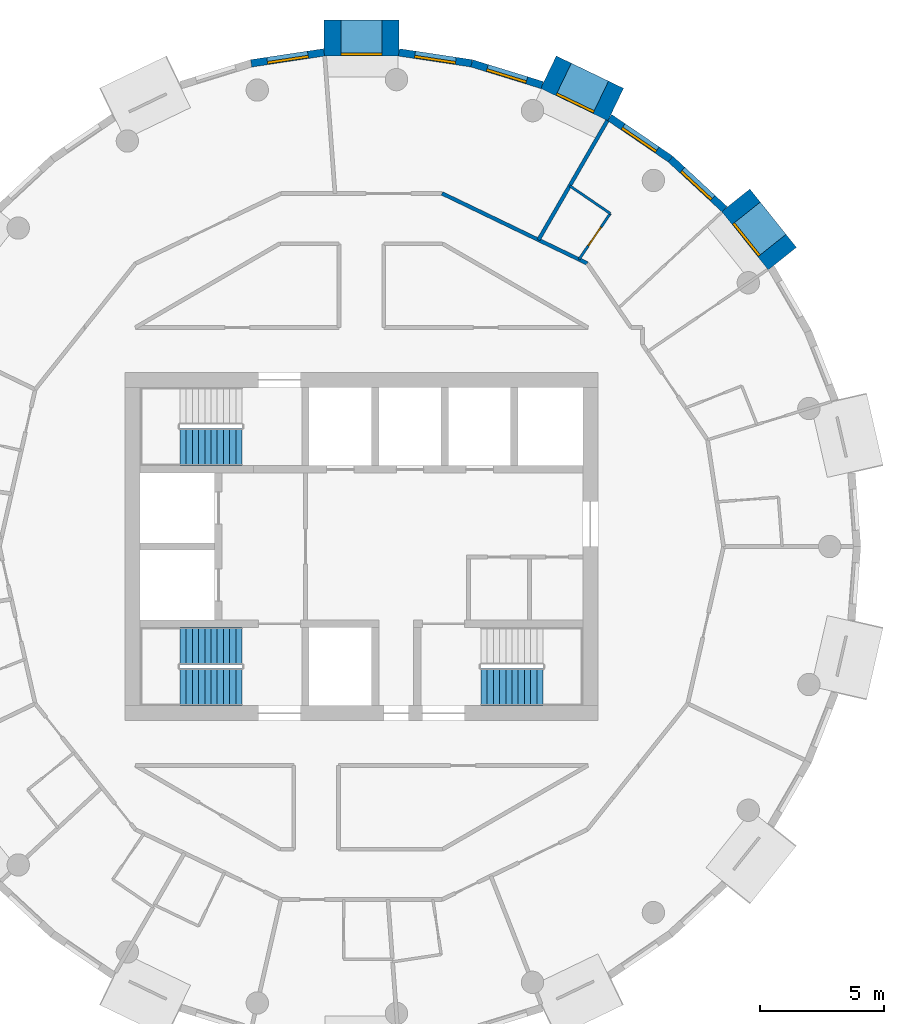
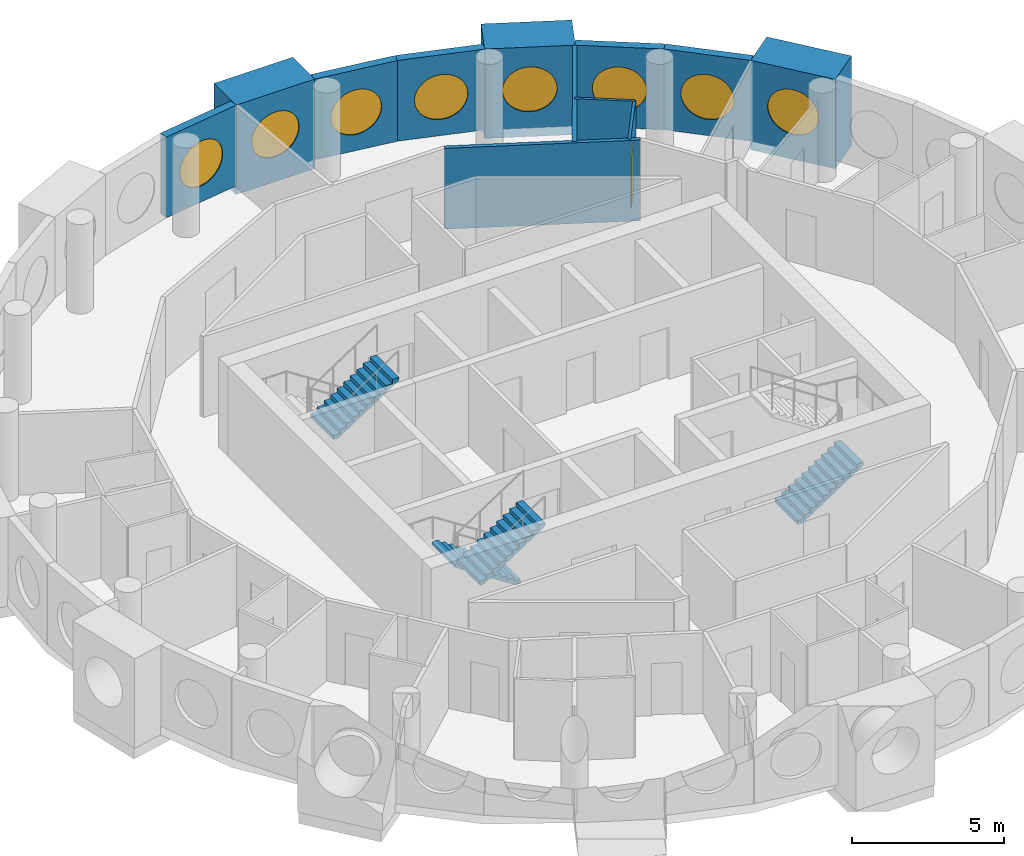
# One storey, part 10 of 12: 12 walls, 8 windows, 4 stair flights, 1 door, 9 openings, 3 elements without a shape of their own.
"""IFC4 building model written with IfcOpenShell, lengths in metres."""

from ifc_helpers import new_model, si_unit, direction, frame, frame_2d, origin, origin_2d, place, context, subcontext, project, spatial, polyline, rectangle, circle, outline, extrude, material, layer, layer_set, type_object, element, fill, aggregate, save


model = new_model("IFC4")

# Units and contexts
model_context = context("Model", 3, precision=1e-05, world=origin(), true_north=direction((0.0, 1.0)))
body_context = subcontext(model_context, "Body", "Model", "MODEL_VIEW")
ifc_project = project(units=[si_unit("LENGTHUNIT", "METRE"), si_unit("AREAUNIT", "SQUARE_METRE"), si_unit("VOLUMEUNIT", "CUBIC_METRE"), si_unit("PLANEANGLEUNIT", "RADIAN"), si_unit("MASSUNIT", "GRAM", prefix="KILO")], contexts=[model_context])

# Site, building, storey
site_placement = place(None, origin())
site = spatial("IfcSite", under=ifc_project, at=site_placement, CompositionType="ELEMENT")
building_placement = place(site_placement, origin())
building = spatial("IfcBuilding", under=site, at=building_placement, Name="Tracery Tower", CompositionType="ELEMENT")
storey_placement = place(building_placement, frame((0.0, 0.0, 283.800048828125)))
storey = spatial("IfcBuildingStorey", under=building, at=storey_placement, Name="L73", CompositionType="ELEMENT", Elevation=283.800048828125)

# Wall, opening, window
ifc_material_1 = material(Name="Precast concrete C50/60", Category="concrete")
ifc_layer_1 = layer(ifc_material_1, 1.449951171875)
ifc_layer_set_1 = layer_set([ifc_layer_1], Name="Deep-set bay unit 3000 x 3600, slab edge 350")
wall_type_1 = type_object("IfcWallType", Name="Deep-set bay unit 3000 x 3600, slab edge 350", PredefinedType="ELEMENTEDWALL", material=ifc_layer_set_1)
wall_1_placement = place(storey_placement, frame((16.916748046875, 11.572021484375, -0.35009765625), z_axis=(0.0, 0.0, 1.0), x_axis=(-0.623523286312, 0.781804778335, 0.0)))
wall_1 = element("IfcWall", 1, at=wall_1_placement, inside=storey, type_object=wall_type_1, Name="Deep-set bay unit 5 at L73", PredefinedType="ELEMENTEDWALL", context=body_context, shape_type="SweptSolid", body=[
    extrude(rectangle(XDim=3.0, YDim=1.449951171875, at=frame_2d((1.5, 0.0))), origin(), (0.0, 0.0, 1.0), 3.60009765625),
])
opening_1_placement = place(wall_1_placement, frame((1.5, 0.0, 1.89990234375)))
opening_1 = element("IfcOpeningElement", 2, at=opening_1_placement, cuts=wall_1, Name="Opening WN1", PredefinedType="OPENING", context=body_context, shape_type="SweptSolid", body=[
    extrude(circle(Radius=0.9000244140625, at=origin_2d()), frame((0.0, 0.73486328125, 0.0), z_axis=(0.0, -1.0, 0.0), x_axis=(1.0, 0.0, 0.0)), (0.0, 0.0, 1.0), 1.469970703125),
])
ifc_material_2 = material(Name="Aluminium frame with tinted double glazing", Category="aluminium")
window_type = type_object("IfcWindowType", Name="Round window 1800", PartitioningType="SINGLE_PANEL", PredefinedType="WINDOW", material=ifc_material_2)
window_1_placement = place(opening_1_placement, origin())
window_1 = element("IfcWindow", 3, at=window_1_placement, inside=storey, type_object=window_type, Name="Round window 5 at L73", OverallHeight=1.800048828125, OverallWidth=1.800048828125, PartitioningType="SINGLE_PANEL", PredefinedType="WINDOW", context=body_context, shape_type="SweptSolid", body=[
    extrude(circle(Radius=0.9000244140625, at=origin_2d()), frame((0.0, 0.69482421875, 0.0), z_axis=(0.0, -1.0, 0.0), x_axis=(1.0, 0.0, 0.0)), (0.0, 0.0, 1.0), 0.10009765625),
])
fill(opening_1, window_1)

wall_2_placement = place(storey_placement, frame((10.220458984375, 17.765869140625, -0.35009765625), z_axis=(0.0, 0.0, 1.0), x_axis=(-0.900953362039, 0.433915935904, 0.0)))
wall_2 = element("IfcWall", 4, at=wall_2_placement, inside=storey, type_object=wall_type_1, Name="Deep-set bay unit 8 at L73", PredefinedType="ELEMENTEDWALL", context=body_context, shape_type="SweptSolid", body=[
    extrude(rectangle(XDim=3.0, YDim=1.449951171875, at=frame_2d((1.5, 0.0))), origin(), (0.0, 0.0, 1.0), 3.60009765625),
])
opening_2_placement = place(wall_2_placement, frame((1.5, 0.0, 1.89990234375)))
opening_2 = element("IfcOpeningElement", 5, at=opening_2_placement, cuts=wall_2, Name="Opening WN1", PredefinedType="OPENING", context=body_context, shape_type="SweptSolid", body=[
    extrude(circle(Radius=0.9000244140625, at=origin_2d()), frame((0.0, 0.73486328125, 0.0), z_axis=(0.0, -1.0, 0.0), x_axis=(1.0, 0.0, 0.0)), (0.0, 0.0, 1.0), 1.469970703125),
])
window_2_placement = place(opening_2_placement, origin())
window_2 = element("IfcWindow", 6, at=window_2_placement, inside=storey, type_object=window_type, Name="Round window 8 at L73", OverallHeight=1.800048828125, OverallWidth=1.800048828125, PartitioningType="SINGLE_PANEL", PredefinedType="WINDOW", context=body_context, shape_type="SweptSolid", body=[
    extrude(circle(Radius=0.9000244140625, at=origin_2d()), frame((0.0, 0.69482421875, 0.0), z_axis=(0.0, -1.0, 0.0), x_axis=(1.0, 0.0, 0.0)), (0.0, 0.0, 1.0), 0.10009765625),
])
fill(opening_2, window_2)

wall_3_placement = place(storey_placement, frame((1.5, 20.441162109375, -0.35009765625), z_axis=(0.0, 0.0, 1.0), x_axis=(-1.0, 0.0, 0.0)))
wall_3 = element("IfcWall", 7, at=wall_3_placement, inside=storey, type_object=wall_type_1, Name="Deep-set bay unit 11 at L73", PredefinedType="ELEMENTEDWALL", context=body_context, shape_type="SweptSolid", body=[
    extrude(rectangle(XDim=3.0, YDim=1.449951171875, at=frame_2d((1.5, 0.0))), origin(), (0.0, 0.0, 1.0), 3.60009765625),
])
opening_3_placement = place(wall_3_placement, frame((1.5, 0.0, 1.89990234375)))
opening_3 = element("IfcOpeningElement", 8, at=opening_3_placement, cuts=wall_3, Name="Opening WN1", PredefinedType="OPENING", context=body_context, shape_type="SweptSolid", body=[
    extrude(circle(Radius=0.9000244140625, at=origin_2d()), frame((0.0, 0.73486328125, 0.0), z_axis=(0.0, -1.0, 0.0), x_axis=(1.0, 0.0, 0.0)), (0.0, 0.0, 1.0), 1.469970703125),
])
window_3_placement = place(opening_3_placement, origin())
window_3 = element("IfcWindow", 9, at=window_3_placement, inside=storey, type_object=window_type, Name="Round window 11 at L73", OverallHeight=1.800048828125, OverallWidth=1.800048828125, PartitioningType="SINGLE_PANEL", PredefinedType="WINDOW", context=body_context, shape_type="SweptSolid", body=[
    extrude(circle(Radius=0.9000244140625, at=origin_2d()), frame((0.0, 0.69482421875, 0.0), z_axis=(0.0, -1.0, 0.0), x_axis=(1.0, 0.0, 0.0)), (0.0, 0.0, 1.0), 0.10009765625),
])
fill(opening_3, window_3)

ifc_material_3 = material(Name="Precast concrete C50/60", Category="concrete")
ifc_layer_2 = layer(ifc_material_3, 0.300048828125)
ifc_layer_set_2 = layer_set([ifc_layer_2], Name="Facade panel 3000 x 3250")
wall_type_2 = type_object("IfcWallType", Name="Facade panel 3000 x 3250", PredefinedType="SOLIDWALL", material=ifc_layer_set_2)
wall_4_placement = place(storey_placement, frame((14.592529296875, 13.560546875, 0.0), z_axis=(0.0, 0.0, 1.0), x_axis=(-0.733028283666, 0.680198158882, 0.0)))
wall_4 = element("IfcWall", 10, at=wall_4_placement, inside=storey, type_object=wall_type_2, Name="Facade panel 6 at L73", PredefinedType="SOLIDWALL", context=body_context, shape_type="SweptSolid", body=[
    extrude(rectangle(XDim=2.962158203125, YDim=0.300048828125, at=frame_2d((1.48095703125, 0.0))), origin(), (0.0, 0.0, 1.0), 3.25),
])
opening_4_placement = place(wall_4_placement, frame((1.48095703125, 0.0, 1.5498046875)))
opening_4 = element("IfcOpeningElement", 11, at=opening_4_placement, cuts=wall_4, Name="Opening WN1", PredefinedType="OPENING", context=body_context, shape_type="SweptSolid", body=[
    extrude(circle(Radius=0.9000244140625, at=origin_2d()), frame((0.0, 0.159912109375, 0.0), z_axis=(0.0, -1.0, 0.0), x_axis=(1.0, 0.0, 0.0)), (0.0, 0.0, 1.0), 0.320068359375),
])
window_4_placement = place(opening_4_placement, origin())
window_4 = element("IfcWindow", 12, at=window_4_placement, inside=storey, type_object=window_type, Name="Round window 6 at L73", OverallHeight=1.800048828125, OverallWidth=1.800048828125, PartitioningType="SINGLE_PANEL", PredefinedType="WINDOW", context=body_context, shape_type="SweptSolid", body=[
    extrude(circle(Radius=0.9000244140625, at=origin_2d()), frame((0.0, 0.1201171875, 0.0), z_axis=(0.0, -1.0, 0.0), x_axis=(1.0, 0.0, 0.0)), (0.0, 0.0, 1.0), 0.10009765625),
])
fill(opening_4, window_4)

wall_5_placement = place(storey_placement, frame((12.421142578125, 15.575439453125, 0.0), z_axis=(0.0, 0.0, 1.0), x_axis=(-0.826236061068, 0.563324037646, 0.0)))
wall_5 = element("IfcWall", 13, at=wall_5_placement, inside=storey, type_object=wall_type_2, Name="Facade panel 7 at L73", PredefinedType="SOLIDWALL", context=body_context, shape_type="SweptSolid", body=[
    extrude(rectangle(XDim=2.962158203125, YDim=0.300048828125, at=frame_2d((1.48095703125, 0.0))), origin(), (0.0, 0.0, 1.0), 3.25),
])
opening_5_placement = place(wall_5_placement, frame((1.48095703125, 0.0, 1.5498046875)))
opening_5 = element("IfcOpeningElement", 14, at=opening_5_placement, cuts=wall_5, Name="Opening WN1", PredefinedType="OPENING", context=body_context, shape_type="SweptSolid", body=[
    extrude(circle(Radius=0.9000244140625, at=origin_2d()), frame((0.0, 0.159912109375, 0.0), z_axis=(0.0, -1.0, 0.0), x_axis=(1.0, 0.0, 0.0)), (0.0, 0.0, 1.0), 0.320068359375),
])
window_5_placement = place(opening_5_placement, origin())
window_5 = element("IfcWindow", 15, at=window_5_placement, inside=storey, type_object=window_type, Name="Round window 7 at L73", OverallHeight=1.800048828125, OverallWidth=1.800048828125, PartitioningType="SINGLE_PANEL", PredefinedType="WINDOW", context=body_context, shape_type="SweptSolid", body=[
    extrude(circle(Radius=0.9000244140625, at=origin_2d()), frame((0.0, 0.1201171875, 0.0), z_axis=(0.0, -1.0, 0.0), x_axis=(1.0, 0.0, 0.0)), (0.0, 0.0, 1.0), 0.10009765625),
])
fill(opening_5, window_5)

wall_6_placement = place(storey_placement, frame((7.263671875, 18.549072265625, 0.0), z_axis=(0.0, 0.0, 1.0), x_axis=(-0.955555982805, 0.29480970765, 0.0)))
wall_6 = element("IfcWall", 16, at=wall_6_placement, inside=storey, type_object=wall_type_2, Name="Facade panel 9 at L73", PredefinedType="SOLIDWALL", context=body_context, shape_type="SweptSolid", body=[
    extrude(rectangle(XDim=2.962158203125, YDim=0.300048828125, at=frame_2d((1.48095703125, 0.0))), origin(), (0.0, 0.0, 1.0), 3.25),
])
opening_6_placement = place(wall_6_placement, frame((1.48095703125, 0.0, 1.5498046875)))
opening_6 = element("IfcOpeningElement", 17, at=opening_6_placement, cuts=wall_6, Name="Opening WN1", PredefinedType="OPENING", context=body_context, shape_type="SweptSolid", body=[
    extrude(circle(Radius=0.9000244140625, at=origin_2d()), frame((0.0, 0.159912109375, 0.0), z_axis=(0.0, -1.0, 0.0), x_axis=(1.0, 0.0, 0.0)), (0.0, 0.0, 1.0), 0.320068359375),
])
window_6_placement = place(opening_6_placement, origin())
window_6 = element("IfcWindow", 18, at=window_6_placement, inside=storey, type_object=window_type, Name="Round window 9 at L73", OverallHeight=1.800048828125, OverallWidth=1.800048828125, PartitioningType="SINGLE_PANEL", PredefinedType="WINDOW", context=body_context, shape_type="SweptSolid", body=[
    extrude(circle(Radius=0.9000244140625, at=origin_2d()), frame((0.0, 0.1201171875, 0.0), z_axis=(0.0, -1.0, 0.0), x_axis=(1.0, 0.0, 0.0)), (0.0, 0.0, 1.0), 0.10009765625),
])
fill(opening_6, window_6)

wall_7_placement = place(storey_placement, frame((4.43310546875, 19.42236328125, 0.0), z_axis=(0.0, 0.0, 1.0), x_axis=(-0.988835775663, 0.149009425104, 0.0)))
wall_7 = element("IfcWall", 19, at=wall_7_placement, inside=storey, type_object=wall_type_2, Name="Facade panel 10 at L73", PredefinedType="SOLIDWALL", context=body_context, shape_type="SweptSolid", body=[
    extrude(rectangle(XDim=2.962158203125, YDim=0.300048828125, at=frame_2d((1.48095703125, 0.0))), origin(), (0.0, 0.0, 1.0), 3.25),
])
opening_7_placement = place(wall_7_placement, frame((1.48095703125, 0.0, 1.5498046875)))
opening_7 = element("IfcOpeningElement", 20, at=opening_7_placement, cuts=wall_7, Name="Opening WN1", PredefinedType="OPENING", context=body_context, shape_type="SweptSolid", body=[
    extrude(circle(Radius=0.9000244140625, at=origin_2d()), frame((0.0, 0.159912109375, 0.0), z_axis=(0.0, -1.0, 0.0), x_axis=(1.0, 0.0, 0.0)), (0.0, 0.0, 1.0), 0.320068359375),
])
window_7_placement = place(opening_7_placement, origin())
window_7 = element("IfcWindow", 21, at=window_7_placement, inside=storey, type_object=window_type, Name="Round window 10 at L73", OverallHeight=1.800048828125, OverallWidth=1.800048828125, PartitioningType="SINGLE_PANEL", PredefinedType="WINDOW", context=body_context, shape_type="SweptSolid", body=[
    extrude(circle(Radius=0.9000244140625, at=origin_2d()), frame((0.0, 0.1201171875, 0.0), z_axis=(0.0, -1.0, 0.0), x_axis=(1.0, 0.0, 0.0)), (0.0, 0.0, 1.0), 0.10009765625),
])
fill(opening_7, window_7)

wall_8_placement = place(storey_placement, frame((-1.50390625, 19.86376953125, 0.0), z_axis=(0.0, 0.0, 1.0), x_axis=(-0.988835775663, -0.149009425104, 0.0)))
wall_8 = element("IfcWall", 22, at=wall_8_placement, inside=storey, type_object=wall_type_2, Name="Facade panel 12 at L73", PredefinedType="SOLIDWALL", context=body_context, shape_type="SweptSolid", body=[
    extrude(rectangle(XDim=2.962158203125, YDim=0.300048828125, at=frame_2d((1.48095703125, 0.0))), origin(), (0.0, 0.0, 1.0), 3.25),
])
opening_8_placement = place(wall_8_placement, frame((1.48095703125, 0.0, 1.5498046875)))
opening_8 = element("IfcOpeningElement", 23, at=opening_8_placement, cuts=wall_8, Name="Opening WN1", PredefinedType="OPENING", context=body_context, shape_type="SweptSolid", body=[
    extrude(circle(Radius=0.9000244140625, at=origin_2d()), frame((0.0, 0.159912109375, 0.0), z_axis=(0.0, -1.0, 0.0), x_axis=(1.0, 0.0, 0.0)), (0.0, 0.0, 1.0), 0.320068359375),
])
window_8_placement = place(opening_8_placement, origin())
window_8 = element("IfcWindow", 24, at=window_8_placement, inside=storey, type_object=window_type, Name="Round window 12 at L73", OverallHeight=1.800048828125, OverallWidth=1.800048828125, PartitioningType="SINGLE_PANEL", PredefinedType="WINDOW", context=body_context, shape_type="SweptSolid", body=[
    extrude(circle(Radius=0.9000244140625, at=origin_2d()), frame((0.0, 0.1201171875, 0.0), z_axis=(0.0, -1.0, 0.0), x_axis=(1.0, 0.0, 0.0)), (0.0, 0.0, 1.0), 0.10009765625),
])
fill(opening_8, window_8)

# Wall, opening, door
ifc_material_4 = material(Name="Plasterboard on steel studs", Category="steel")
ifc_layer_3 = layer(ifc_material_4, 0.10009765625)
ifc_layer_set_3 = layer_set([ifc_layer_3], Name="Partition 100 wet wall")
wall_type_3 = type_object("IfcWallType", Name="Partition 100 wet wall", PredefinedType="PARTITIONING", material=ifc_layer_set_3)
wall_9_placement = place(storey_placement, frame((8.742919921875, 11.541015625, 0.0), z_axis=(0.0, 0.0, 1.0), x_axis=(0.563469042551, 0.826137178734, 0.0)))
wall_9 = element("IfcWall", 25, at=wall_9_placement, inside=storey, type_object=wall_type_3, Name="Wet wall RC6-055", PredefinedType="PARTITIONING", context=body_context, shape_type="SweptSolid", body=[
    extrude(rectangle(XDim=2.234375, YDim=0.10009765625, at=frame_2d((1.1171875, 0.0))), origin(), (0.0, 0.0, 1.0), 3.25),
])
opening_9_placement = place(wall_9_placement, frame((0.6669921875, 0.0, 0.0)))
opening_9 = element("IfcOpeningElement", 26, at=opening_9_placement, cuts=wall_9, Name="Opening RC6-11", PredefinedType="OPENING", context=body_context, shape_type="SweptSolid", body=[
    extrude(rectangle(XDim=0.89990234375, YDim=2.0400390625, at=frame_2d((0.449951171875, 1.02001953125))), frame((0.0, 0.050048828125, 0.0), z_axis=(0.0, -1.0, 0.0), x_axis=(1.0, 0.0, 0.0)), (0.0, 0.0, 1.0), 0.10009765625),
])
ifc_material_5 = material(Name="Timber door leaf", Category="wood")
door_type = type_object("IfcDoorType", Name="Door en-suite 900", OperationType="NOTDEFINED", PredefinedType="DOOR", material=ifc_material_5)
door_placement = place(opening_9_placement, origin())
door = element("IfcDoor", 27, at=door_placement, inside=storey, type_object=door_type, Name="En-suite door RC6-11", OperationType="SINGLE_SWING_LEFT", OverallHeight=2.0400390625, OverallWidth=0.89990234375, PredefinedType="DOOR", context=body_context, shape_type="SweptSolid", body=[
    extrude(rectangle(XDim=0.89990234375, YDim=2.0400390625, at=frame_2d((0.449951171875, 1.02001953125))), frame((0.0, 0.02490234375, 0.0), z_axis=(0.0, -1.0, 0.0), x_axis=(1.0, 0.0, 0.0)), (0.0, 0.0, 1.0), 0.050048828125),
])
fill(opening_9, door)

# Walls
wall_10_placement = place(storey_placement, frame((8.37109375, 14.4990234375, 0.0), z_axis=(0.0, 0.0, 1.0), x_axis=(0.82620117489, -0.563375202339, 0.0)))
element("IfcWall", 28, at=wall_10_placement, inside=storey, type_object=wall_type_3, Name="Wet wall RC6-056", PredefinedType="PARTITIONING", context=body_context, shape_type="SweptSolid", body=[
    extrude(rectangle(XDim=1.973876953125, YDim=0.10009765625, at=frame_2d((0.98681640625, 0.0))), origin(), (0.0, 0.0, 1.0), 3.25),
])
ifc_material_6 = material(Name="Plasterboard on steel studs", Category="steel")
ifc_layer_4 = layer(ifc_material_6, 0.14990234375)
ifc_layer_set_4 = layer_set([ifc_layer_4], Name="Partition 150 acoustic unit wall")
wall_type_4 = type_object("IfcWallType", Name="Partition 150 acoustic unit wall", PredefinedType="PARTITIONING", material=ifc_layer_set_4)
wall_11_placement = place(storey_placement, frame((7.115478515625, 12.3251953125, 0.0), z_axis=(0.0, 0.0, 1.0), x_axis=(0.500139547481, 0.865944821017, 0.0)))
element("IfcWall", 29, at=wall_11_placement, inside=storey, type_object=wall_type_4, Name="Unit wall RC6-057", PredefinedType="PARTITIONING", context=body_context, shape_type="SweptSolid", body=[
    extrude(rectangle(XDim=5.53955078125, YDim=0.14990234375, at=frame_2d((2.769775390625, 0.0))), origin(), (0.0, 0.0, 1.0), 3.25),
])
ifc_material_7 = material(Name="Plasterboard on steel studs", Category="steel")
ifc_layer_5 = layer(ifc_material_7, 0.14990234375)
ifc_layer_set_5 = layer_set([ifc_layer_5], Name="Partition 150 corridor wall")
wall_type_5 = type_object("IfcWallType", Name="Partition 150 corridor wall", PredefinedType="PARTITIONING", material=ifc_layer_set_5)
wall_12_placement = place(storey_placement, frame((3.240234375, 14.194580078125, 0.0), z_axis=(0.0, 0.0, 1.0), x_axis=(0.900778421649, -0.434278983018, 0.0)))
element("IfcWall", 30, at=wall_12_placement, inside=storey, type_object=wall_type_5, Name="Corridor wall RC6-030", PredefinedType="PARTITIONING", context=body_context, shape_type="SweptSolid", body=[
    extrude(rectangle(XDim=6.478515625, YDim=0.14990234375, at=frame_2d((3.2392578125, 0.0))), origin(), (0.0, 0.0, 1.0), 3.25),
])

# Stair, stair flights
ifc_material_8 = material(Name="Concrete C32/40", Category="concrete")
stair_type = type_object("IfcStairType", Name="Core stair 22 risers", PredefinedType="HALF_TURN_STAIR", material=ifc_material_8)
stair_1_placement = place(storey_placement, origin())
stair_1 = element("IfcStair", 31, at=stair_1_placement, inside=storey, type_object=stair_type, Name="L73 stair ST1", PredefinedType="HALF_TURN_STAIR")
ifc_material_9 = material(Name="Concrete C32/40", Category="concrete")
stair_flight_type = type_object("IfcStairFlightType", Name="Core stair flight 11 risers", PredefinedType="STRAIGHT", material=ifc_material_9)
stair_flight_1_placement = place(storey_placement, frame((-4.800048828125, -4.0, 0.0), z_axis=(0.0, 0.0, 1.0), x_axis=(-1.0, 0.0, 0.0)))
stair_flight_1 = element("IfcStairFlight", 32, at=stair_flight_1_placement, type_object=stair_flight_type, Name="ST1 flight 1", NumberOfRisers=11, NumberOfTreads=10, PredefinedType="STRAIGHT", RiserHeight=0.163636364, TreadLength=0.25, context=body_context, shape_type="SweptSolid", body=[
    extrude(outline(polyline([(0.0, 0.0), (0.0, 0.002685546875), (0.0, 0.00537109375), (0.0, 0.008056640625), (0.0, 0.0107421875), (0.0, 0.013427734375), (0.0, 0.01611328125), (0.0, 0.018798828125), (0.0, 0.021484375), (0.0, 0.024169921875), (0.0, 0.02685546875), (0.0, 0.029541015625), (0.0, 0.0322265625), (0.0, 0.034912109375), (0.0, 0.03759765625), (0.0, 0.040283203125), (0.0, 0.04296875), (0.0, 0.045654296875), (0.0, 0.04833984375), (0.0, 0.051025390625), (0.0, 0.0537109375), (0.0, 0.056396484375), (0.0, 0.05908203125), (0.0, 0.061767578125), (0.0, 0.064453125), (0.0, 0.067138671875), (0.0, 0.06982421875), (0.0, 0.072509765625), (0.0, 0.0751953125), (0.0, 0.077880859375), (0.0, 0.08056640625), (0.0, 0.083251953125), (0.0, 0.0859375), (0.0, 0.088623046875), (0.0, 0.09130859375), (0.0, 0.093994140625), (0.0, 0.0966796875), (0.0, 0.099365234375), (0.0, 0.10205078125), (0.0, 0.104736328125), (0.0, 0.107421875), (0.0, 0.10986328125), (0.0, 0.112548828125), (0.0, 0.115234375), (0.0, 0.117919921875), (0.0, 0.12060546875), (0.0, 0.123291015625), (0.0, 0.1259765625), (0.0, 0.128662109375), (0.0, 0.13134765625), (0.0, 0.134033203125), (0.0, 0.13671875), (0.0, 0.139404296875), (0.0, 0.14208984375), (0.0, 0.144775390625), (0.0, 0.1474609375), (0.0, 0.150146484375), (0.0, 0.15283203125), (0.0, 0.155517578125), (0.0, 0.158203125), (0.0, 0.160888671875), (0.0, 0.16357421875), (0.25, 0.16357421875), (0.25, 0.327392578125), (0.5, 0.327392578125), (0.5, 0.490966796875), (0.75, 0.490966796875), (0.75, 0.654541015625), (1.0, 0.654541015625), (1.0, 0.818115234375), (1.25, 0.818115234375), (1.25, 0.98193359375), (1.5, 0.98193359375), (1.5, 1.1455078125), (1.75, 1.1455078125), (1.75, 1.30908203125), (2.0, 1.30908203125), (2.0, 1.47265625), (2.25, 1.47265625), (2.25, 1.636474609375), (2.5, 1.636474609375), (2.5, 1.634521484375), (2.5, 1.63232421875), (2.5, 1.63037109375), (2.5, 1.62841796875), (2.5, 1.62646484375), (2.5, 1.62451171875), (2.5, 1.62255859375), (2.5, 1.62060546875), (2.5, 1.61865234375), (2.5, 1.61669921875), (2.5, 1.61474609375), (2.5, 1.61279296875), (2.5, 1.61083984375), (2.5, 1.60888671875), (2.5, 1.60693359375), (2.5, 1.60498046875), (2.5, 1.60302734375), (2.5, 1.60107421875), (2.5, 1.59912109375), (2.5, 1.59716796875), (2.5, 1.59521484375), (2.5, 1.59326171875), (2.5, 1.59130859375), (2.5, 1.58935546875), (2.5, 1.58740234375), (2.5, 1.58544921875), (2.5, 1.58349609375), (2.5, 1.58154296875), (2.5, 1.57958984375), (2.5, 1.57763671875), (2.5, 1.57568359375), (2.5, 1.573486328125), (2.5, 1.571533203125), (2.5, 1.569580078125), (2.5, 1.567626953125), (2.5, 1.565673828125), (2.5, 1.563720703125), (2.5, 1.561767578125), (2.5, 1.559814453125), (2.5, 1.557861328125), (2.5, 1.555908203125), (2.5, 1.553955078125), (2.5, 1.552001953125), (2.5, 1.550048828125), (2.5, 1.548095703125), (2.5, 1.546142578125), (2.5, 1.544189453125), (2.5, 1.542236328125), (2.5, 1.540283203125), (2.5, 1.538330078125), (2.5, 1.536376953125), (2.5, 1.534423828125), (2.5, 1.532470703125), (2.5, 1.530517578125), (2.5, 1.528564453125), (2.5, 1.526611328125), (2.5, 1.524658203125), (2.5, 1.522705078125), (2.5, 1.520751953125), (2.5, 1.518798828125), (2.5, 1.516845703125), (0.182861328125, 0.0), (0.0, 0.0)])), frame((0.0, 0.75, 0.0), z_axis=(0.0, -1.0, 0.0), x_axis=(1.0, 0.0, 0.0)), (0.0, 0.0, 1.0), 1.5),
])
stair_flight_2_placement = place(storey_placement, frame((-7.300048828125, -5.64990234375, 1.800048828125), z_axis=(0.0, 0.0, 1.0), x_axis=(1.0, 0.0, 0.0)))
stair_flight_2 = element("IfcStairFlight", 33, at=stair_flight_2_placement, type_object=stair_flight_type, Name="ST1 flight 2", NumberOfRisers=11, NumberOfTreads=10, PredefinedType="STRAIGHT", RiserHeight=0.163636364, TreadLength=0.25, context=body_context, shape_type="SweptSolid", body=[
    extrude(outline(polyline([(0.0, 0.0), (0.0, 0.002685546875), (0.0, 0.00537109375), (0.0, 0.008056640625), (0.0, 0.0107421875), (0.0, 0.013427734375), (0.0, 0.01611328125), (0.0, 0.018798828125), (0.0, 0.021484375), (0.0, 0.024169921875), (0.0, 0.02685546875), (0.0, 0.029541015625), (0.0, 0.0322265625), (0.0, 0.034912109375), (0.0, 0.03759765625), (0.0, 0.040283203125), (0.0, 0.04296875), (0.0, 0.045654296875), (0.0, 0.04833984375), (0.0, 0.051025390625), (0.0, 0.0537109375), (0.0, 0.056396484375), (0.0, 0.05908203125), (0.0, 0.061767578125), (0.0, 0.064453125), (0.0, 0.067138671875), (0.0, 0.06982421875), (0.0, 0.072509765625), (0.0, 0.0751953125), (0.0, 0.077880859375), (0.0, 0.08056640625), (0.0, 0.083251953125), (0.0, 0.0859375), (0.0, 0.088623046875), (0.0, 0.09130859375), (0.0, 0.093994140625), (0.0, 0.0966796875), (0.0, 0.099365234375), (0.0, 0.10205078125), (0.0, 0.104736328125), (0.0, 0.107421875), (0.0, 0.10986328125), (0.0, 0.112548828125), (0.0, 0.115234375), (0.0, 0.117919921875), (0.0, 0.12060546875), (0.0, 0.123291015625), (0.0, 0.1259765625), (0.0, 0.128662109375), (0.0, 0.13134765625), (0.0, 0.134033203125), (0.0, 0.13671875), (0.0, 0.139404296875), (0.0, 0.14208984375), (0.0, 0.144775390625), (0.0, 0.1474609375), (0.0, 0.150146484375), (0.0, 0.15283203125), (0.0, 0.155517578125), (0.0, 0.158203125), (0.0, 0.160888671875), (0.0, 0.16357421875), (0.25, 0.16357421875), (0.25, 0.327392578125), (0.5, 0.327392578125), (0.5, 0.490966796875), (0.75, 0.490966796875), (0.75, 0.654541015625), (1.0, 0.654541015625), (1.0, 0.818115234375), (1.25, 0.818115234375), (1.25, 0.98193359375), (1.5, 0.98193359375), (1.5, 1.1455078125), (1.75, 1.1455078125), (1.75, 1.30908203125), (2.0, 1.30908203125), (2.0, 1.47265625), (2.25, 1.47265625), (2.25, 1.636474609375), (2.5, 1.636474609375), (2.5, 1.634521484375), (2.5, 1.63232421875), (2.5, 1.63037109375), (2.5, 1.62841796875), (2.5, 1.62646484375), (2.5, 1.62451171875), (2.5, 1.62255859375), (2.5, 1.62060546875), (2.5, 1.61865234375), (2.5, 1.61669921875), (2.5, 1.61474609375), (2.5, 1.61279296875), (2.5, 1.61083984375), (2.5, 1.60888671875), (2.5, 1.60693359375), (2.5, 1.60498046875), (2.5, 1.60302734375), (2.5, 1.60107421875), (2.5, 1.59912109375), (2.5, 1.59716796875), (2.5, 1.59521484375), (2.5, 1.59326171875), (2.5, 1.59130859375), (2.5, 1.58935546875), (2.5, 1.58740234375), (2.5, 1.58544921875), (2.5, 1.58349609375), (2.5, 1.58154296875), (2.5, 1.57958984375), (2.5, 1.57763671875), (2.5, 1.57568359375), (2.5, 1.573486328125), (2.5, 1.571533203125), (2.5, 1.569580078125), (2.5, 1.567626953125), (2.5, 1.565673828125), (2.5, 1.563720703125), (2.5, 1.561767578125), (2.5, 1.559814453125), (2.5, 1.557861328125), (2.5, 1.555908203125), (2.5, 1.553955078125), (2.5, 1.552001953125), (2.5, 1.550048828125), (2.5, 1.548095703125), (2.5, 1.546142578125), (2.5, 1.544189453125), (2.5, 1.542236328125), (2.5, 1.540283203125), (2.5, 1.538330078125), (2.5, 1.536376953125), (2.5, 1.534423828125), (2.5, 1.532470703125), (2.5, 1.530517578125), (2.5, 1.528564453125), (2.5, 1.526611328125), (2.5, 1.524658203125), (2.5, 1.522705078125), (2.5, 1.520751953125), (2.5, 1.518798828125), (2.5, 1.516845703125), (0.182861328125, 0.0), (0.0, 0.0)])), frame((0.0, 0.75, 0.0), z_axis=(0.0, -1.0, 0.0), x_axis=(1.0, 0.0, 0.0)), (0.0, 0.0, 1.0), 1.5),
])
aggregate(stair_1, [stair_flight_1, stair_flight_2])

# Stair, stair flight
stair_2_placement = place(storey_placement, origin())
stair_2 = element("IfcStair", 34, at=stair_2_placement, inside=storey, type_object=stair_type, Name="L73 stair ST3", PredefinedType="HALF_TURN_STAIR")
stair_flight_3_placement = place(storey_placement, frame((-7.300048828125, 4.0, 1.800048828125), z_axis=(0.0, 0.0, 1.0), x_axis=(1.0, 0.0, 0.0)))
stair_flight_3 = element("IfcStairFlight", 35, at=stair_flight_3_placement, type_object=stair_flight_type, Name="ST3 flight 2", NumberOfRisers=11, NumberOfTreads=10, PredefinedType="STRAIGHT", RiserHeight=0.163636364, TreadLength=0.25, context=body_context, shape_type="SweptSolid", body=[
    extrude(outline(polyline([(0.0, 0.0), (0.0, 0.002685546875), (0.0, 0.00537109375), (0.0, 0.008056640625), (0.0, 0.0107421875), (0.0, 0.013427734375), (0.0, 0.01611328125), (0.0, 0.018798828125), (0.0, 0.021484375), (0.0, 0.024169921875), (0.0, 0.02685546875), (0.0, 0.029541015625), (0.0, 0.0322265625), (0.0, 0.034912109375), (0.0, 0.03759765625), (0.0, 0.040283203125), (0.0, 0.04296875), (0.0, 0.045654296875), (0.0, 0.04833984375), (0.0, 0.051025390625), (0.0, 0.0537109375), (0.0, 0.056396484375), (0.0, 0.05908203125), (0.0, 0.061767578125), (0.0, 0.064453125), (0.0, 0.067138671875), (0.0, 0.06982421875), (0.0, 0.072509765625), (0.0, 0.0751953125), (0.0, 0.077880859375), (0.0, 0.08056640625), (0.0, 0.083251953125), (0.0, 0.0859375), (0.0, 0.088623046875), (0.0, 0.09130859375), (0.0, 0.093994140625), (0.0, 0.0966796875), (0.0, 0.099365234375), (0.0, 0.10205078125), (0.0, 0.104736328125), (0.0, 0.107421875), (0.0, 0.10986328125), (0.0, 0.112548828125), (0.0, 0.115234375), (0.0, 0.117919921875), (0.0, 0.12060546875), (0.0, 0.123291015625), (0.0, 0.1259765625), (0.0, 0.128662109375), (0.0, 0.13134765625), (0.0, 0.134033203125), (0.0, 0.13671875), (0.0, 0.139404296875), (0.0, 0.14208984375), (0.0, 0.144775390625), (0.0, 0.1474609375), (0.0, 0.150146484375), (0.0, 0.15283203125), (0.0, 0.155517578125), (0.0, 0.158203125), (0.0, 0.160888671875), (0.0, 0.16357421875), (0.25, 0.16357421875), (0.25, 0.327392578125), (0.5, 0.327392578125), (0.5, 0.490966796875), (0.75, 0.490966796875), (0.75, 0.654541015625), (1.0, 0.654541015625), (1.0, 0.818115234375), (1.25, 0.818115234375), (1.25, 0.98193359375), (1.5, 0.98193359375), (1.5, 1.1455078125), (1.75, 1.1455078125), (1.75, 1.30908203125), (2.0, 1.30908203125), (2.0, 1.47265625), (2.25, 1.47265625), (2.25, 1.636474609375), (2.5, 1.636474609375), (2.5, 1.634521484375), (2.5, 1.63232421875), (2.5, 1.63037109375), (2.5, 1.62841796875), (2.5, 1.62646484375), (2.5, 1.62451171875), (2.5, 1.62255859375), (2.5, 1.62060546875), (2.5, 1.61865234375), (2.5, 1.61669921875), (2.5, 1.61474609375), (2.5, 1.61279296875), (2.5, 1.61083984375), (2.5, 1.60888671875), (2.5, 1.60693359375), (2.5, 1.60498046875), (2.5, 1.60302734375), (2.5, 1.60107421875), (2.5, 1.59912109375), (2.5, 1.59716796875), (2.5, 1.59521484375), (2.5, 1.59326171875), (2.5, 1.59130859375), (2.5, 1.58935546875), (2.5, 1.58740234375), (2.5, 1.58544921875), (2.5, 1.58349609375), (2.5, 1.58154296875), (2.5, 1.57958984375), (2.5, 1.57763671875), (2.5, 1.57568359375), (2.5, 1.573486328125), (2.5, 1.571533203125), (2.5, 1.569580078125), (2.5, 1.567626953125), (2.5, 1.565673828125), (2.5, 1.563720703125), (2.5, 1.561767578125), (2.5, 1.559814453125), (2.5, 1.557861328125), (2.5, 1.555908203125), (2.5, 1.553955078125), (2.5, 1.552001953125), (2.5, 1.550048828125), (2.5, 1.548095703125), (2.5, 1.546142578125), (2.5, 1.544189453125), (2.5, 1.542236328125), (2.5, 1.540283203125), (2.5, 1.538330078125), (2.5, 1.536376953125), (2.5, 1.534423828125), (2.5, 1.532470703125), (2.5, 1.530517578125), (2.5, 1.528564453125), (2.5, 1.526611328125), (2.5, 1.524658203125), (2.5, 1.522705078125), (2.5, 1.520751953125), (2.5, 1.518798828125), (2.5, 1.516845703125), (0.182861328125, 0.0), (0.0, 0.0)])), frame((0.0, 0.75, 0.0), z_axis=(0.0, -1.0, 0.0), x_axis=(1.0, 0.0, 0.0)), (0.0, 0.0, 1.0), 1.5),
])
aggregate(stair_2, [stair_flight_3])

stair_3_placement = place(storey_placement, origin())
stair_3 = element("IfcStair", 36, at=stair_3_placement, inside=storey, type_object=stair_type, Name="L73 stair ST2", PredefinedType="HALF_TURN_STAIR")
stair_flight_4_placement = place(storey_placement, frame((4.800048828125, -5.64990234375, 0.0), z_axis=(0.0, 0.0, 1.0), x_axis=(1.0, 0.0, 0.0)))
stair_flight_4 = element("IfcStairFlight", 37, at=stair_flight_4_placement, type_object=stair_flight_type, Name="ST2 flight 1", NumberOfRisers=11, NumberOfTreads=10, PredefinedType="STRAIGHT", RiserHeight=0.163636364, TreadLength=0.25, context=body_context, shape_type="SweptSolid", body=[
    extrude(outline(polyline([(0.0, 0.0), (0.0, 0.002685546875), (0.0, 0.00537109375), (0.0, 0.008056640625), (0.0, 0.0107421875), (0.0, 0.013427734375), (0.0, 0.01611328125), (0.0, 0.018798828125), (0.0, 0.021484375), (0.0, 0.024169921875), (0.0, 0.02685546875), (0.0, 0.029541015625), (0.0, 0.0322265625), (0.0, 0.034912109375), (0.0, 0.03759765625), (0.0, 0.040283203125), (0.0, 0.04296875), (0.0, 0.045654296875), (0.0, 0.04833984375), (0.0, 0.051025390625), (0.0, 0.0537109375), (0.0, 0.056396484375), (0.0, 0.05908203125), (0.0, 0.061767578125), (0.0, 0.064453125), (0.0, 0.067138671875), (0.0, 0.06982421875), (0.0, 0.072509765625), (0.0, 0.0751953125), (0.0, 0.077880859375), (0.0, 0.08056640625), (0.0, 0.083251953125), (0.0, 0.0859375), (0.0, 0.088623046875), (0.0, 0.09130859375), (0.0, 0.093994140625), (0.0, 0.0966796875), (0.0, 0.099365234375), (0.0, 0.10205078125), (0.0, 0.104736328125), (0.0, 0.107421875), (0.0, 0.10986328125), (0.0, 0.112548828125), (0.0, 0.115234375), (0.0, 0.117919921875), (0.0, 0.12060546875), (0.0, 0.123291015625), (0.0, 0.1259765625), (0.0, 0.128662109375), (0.0, 0.13134765625), (0.0, 0.134033203125), (0.0, 0.13671875), (0.0, 0.139404296875), (0.0, 0.14208984375), (0.0, 0.144775390625), (0.0, 0.1474609375), (0.0, 0.150146484375), (0.0, 0.15283203125), (0.0, 0.155517578125), (0.0, 0.158203125), (0.0, 0.160888671875), (0.0, 0.16357421875), (0.25, 0.16357421875), (0.25, 0.327392578125), (0.5, 0.327392578125), (0.5, 0.490966796875), (0.75, 0.490966796875), (0.75, 0.654541015625), (1.0, 0.654541015625), (1.0, 0.818115234375), (1.25, 0.818115234375), (1.25, 0.98193359375), (1.5, 0.98193359375), (1.5, 1.1455078125), (1.75, 1.1455078125), (1.75, 1.30908203125), (2.0, 1.30908203125), (2.0, 1.47265625), (2.25, 1.47265625), (2.25, 1.636474609375), (2.5, 1.636474609375), (2.5, 1.634521484375), (2.5, 1.63232421875), (2.5, 1.63037109375), (2.5, 1.62841796875), (2.5, 1.62646484375), (2.5, 1.62451171875), (2.5, 1.62255859375), (2.5, 1.62060546875), (2.5, 1.61865234375), (2.5, 1.61669921875), (2.5, 1.61474609375), (2.5, 1.61279296875), (2.5, 1.61083984375), (2.5, 1.60888671875), (2.5, 1.60693359375), (2.5, 1.60498046875), (2.5, 1.60302734375), (2.5, 1.60107421875), (2.5, 1.59912109375), (2.5, 1.59716796875), (2.5, 1.59521484375), (2.5, 1.59326171875), (2.5, 1.59130859375), (2.5, 1.58935546875), (2.5, 1.58740234375), (2.5, 1.58544921875), (2.5, 1.58349609375), (2.5, 1.58154296875), (2.5, 1.57958984375), (2.5, 1.57763671875), (2.5, 1.57568359375), (2.5, 1.573486328125), (2.5, 1.571533203125), (2.5, 1.569580078125), (2.5, 1.567626953125), (2.5, 1.565673828125), (2.5, 1.563720703125), (2.5, 1.561767578125), (2.5, 1.559814453125), (2.5, 1.557861328125), (2.5, 1.555908203125), (2.5, 1.553955078125), (2.5, 1.552001953125), (2.5, 1.550048828125), (2.5, 1.548095703125), (2.5, 1.546142578125), (2.5, 1.544189453125), (2.5, 1.542236328125), (2.5, 1.540283203125), (2.5, 1.538330078125), (2.5, 1.536376953125), (2.5, 1.534423828125), (2.5, 1.532470703125), (2.5, 1.530517578125), (2.5, 1.528564453125), (2.5, 1.526611328125), (2.5, 1.524658203125), (2.5, 1.522705078125), (2.5, 1.520751953125), (2.5, 1.518798828125), (2.5, 1.516845703125), (0.182861328125, 0.0), (0.0, 0.0)])), frame((0.0, 0.75, 0.0), z_axis=(0.0, -1.0, 0.0), x_axis=(1.0, 0.0, 0.0)), (0.0, 0.0, 1.0), 1.5),
])
aggregate(stair_3, [stair_flight_4])

save(model, "model.ifc")
